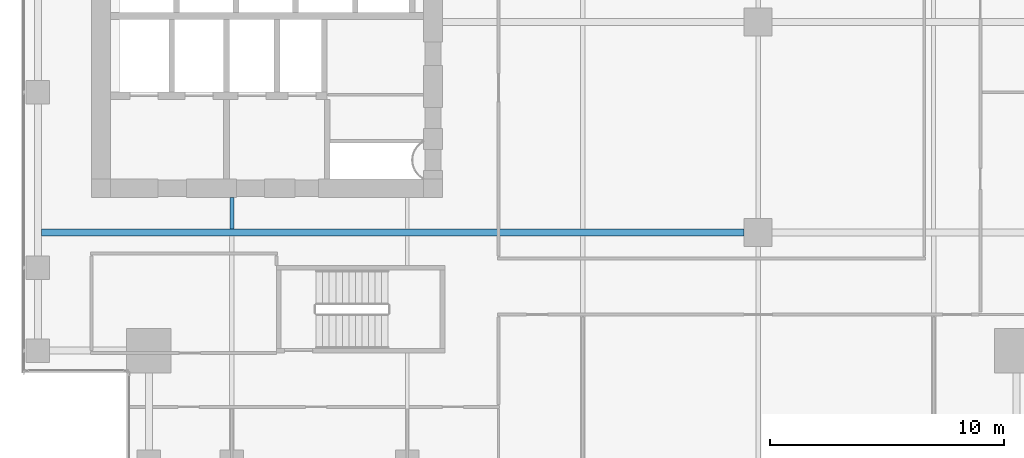
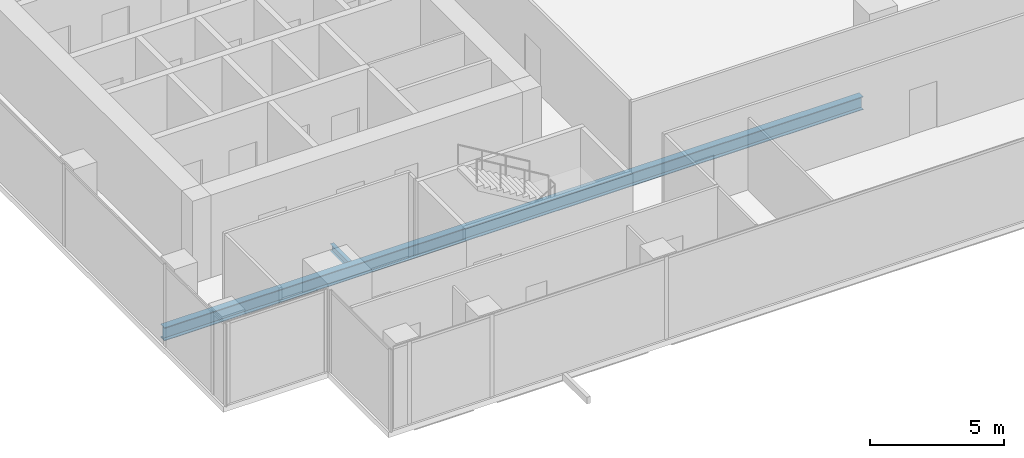
# One storey, part 5 of 40: 2 beams.
"""IFC4 building model written with IfcOpenShell, lengths in metres."""

from ifc_helpers import new_model, si_unit, direction, frame, origin, origin_2d, place, context, subcontext, project, spatial, i_section, extrude, source, transform, mapped, material, material_profile, profile_set, type_object, element, save


model = new_model("IFC4")

# Units and contexts
model_context = context("Model", 3, precision=1e-05, world=origin(), true_north=direction((0.0, 1.0)))
body_context = subcontext(model_context, "Body", "Model", "MODEL_VIEW")
ifc_project = project(units=[si_unit("LENGTHUNIT", "METRE"), si_unit("AREAUNIT", "SQUARE_METRE"), si_unit("VOLUMEUNIT", "CUBIC_METRE"), si_unit("PLANEANGLEUNIT", "RADIAN"), si_unit("MASSUNIT", "GRAM", prefix="KILO")], contexts=[model_context])

# Site, building, storey
site_placement = place(None, origin())
site = spatial("IfcSite", under=ifc_project, at=site_placement, CompositionType="ELEMENT")
building_placement = place(site_placement, origin())
building = spatial("IfcBuilding", under=site, at=building_placement, Name="Khomas Fold Tower", CompositionType="ELEMENT")
storey_placement = place(building_placement, frame((0.0, 0.0, 192.699951171875)))
storey = spatial("IfcBuildingStorey", under=building, at=storey_placement, Name="L42", CompositionType="ELEMENT", Elevation=192.699951171875)

# Beams
ifc_material_1 = material(Name="Steel S355", Category="steel")
ifc_material_profile_1 = material_profile(ifc_material_1, i_section(OverallWidth=0.300048828125, OverallDepth=0.60009765625, WebThickness=0.015380859375, FlangeThickness=0.030029296875, at=origin_2d()), Name="HE 600 B")
ifc_profile_set_1 = profile_set([ifc_material_profile_1], Name="Steel S355")
beam_type_1 = type_object("IfcBeamType", Name="HE 600 B beam GB5", PredefinedType="BEAM", material=ifc_profile_set_1)
shared_shape_1 = source(origin(), body_context, "Body", "SweptSolid", [
    extrude(i_section(OverallWidth=0.300048828125, OverallDepth=0.60009765625, WebThickness=0.015380859375, FlangeThickness=0.030029296875, at=origin_2d()), origin(), (0.0, 0.0, 1.0), 30.0498046875),
])
beam_1_placement = place(storey_placement, frame((3.85009765625, 13.5, -0.550048828125), z_axis=(1.0, 0.0, 0.0), x_axis=(0.0, 1.0, 0.0)))
element("IfcBeam", 1, at=beam_1_placement, inside=storey, type_object=beam_type_1, Name="GB5", PredefinedType="BEAM", context=body_context, shape_type="MappedRepresentation", body=[
    mapped(shared_shape_1, transform((0.0, 0.0, 0.0))),
])
ifc_material_2 = material(Name="Steel S355", Category="steel")
ifc_material_profile_2 = material_profile(ifc_material_2, i_section(OverallWidth=0.159912109375, OverallDepth=0.330078125, WebThickness=0.007568359375, FlangeThickness=0.011474609375, at=origin_2d()), Name="IPE 330")
ifc_profile_set_2 = profile_set([ifc_material_profile_2], Name="Steel S355")
beam_type_2 = type_object("IfcBeamType", Name="IPE 330 beam JB1", PredefinedType="BEAM", material=ifc_profile_set_2)
shared_shape_2 = source(origin(), body_context, "Body", "SweptSolid", [
    extrude(i_section(OverallWidth=0.159912109375, OverallDepth=0.330078125, WebThickness=0.007568359375, FlangeThickness=0.011474609375, at=origin_2d()), origin(), (0.0, 0.0, 1.0), 1.35009765625),
])
beam_2_placement = place(storey_placement, frame((12.0, 13.64990234375, -0.4150390625), z_axis=(0.0, 1.0, 0.0), x_axis=(-1.0, 0.0, 0.0)))
element("IfcBeam", 2, at=beam_2_placement, inside=storey, type_object=beam_type_2, Name="JB1", PredefinedType="BEAM", context=body_context, shape_type="MappedRepresentation", body=[
    mapped(shared_shape_2, transform((0.0, 0.0, 0.0))),
])

save(model, "model.ifc")
